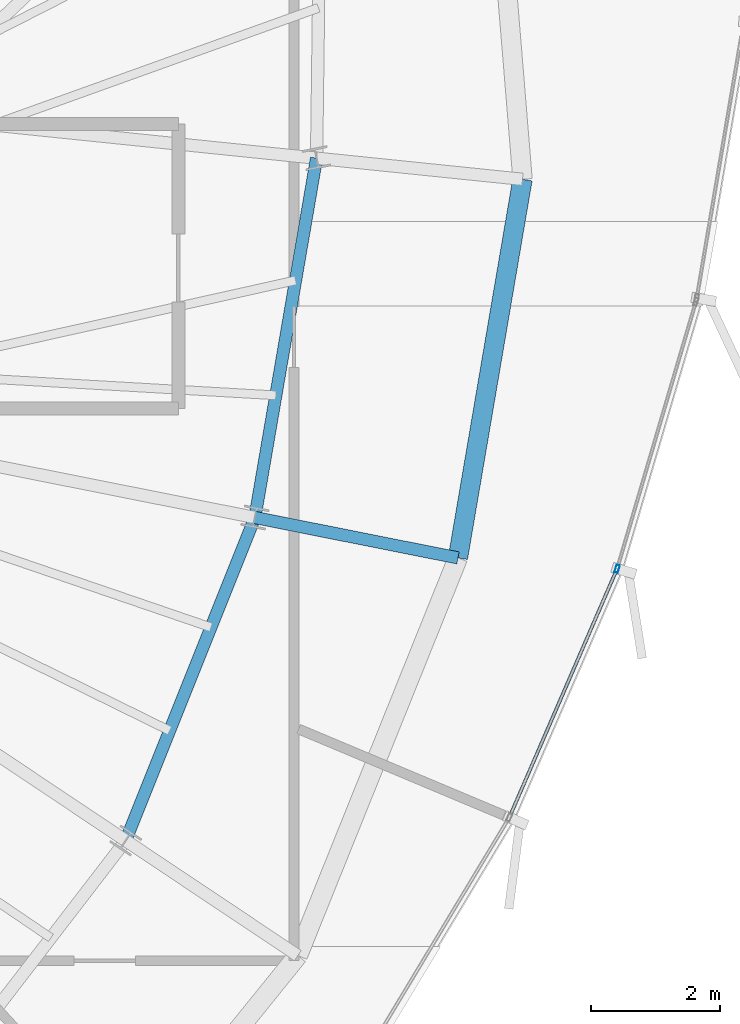
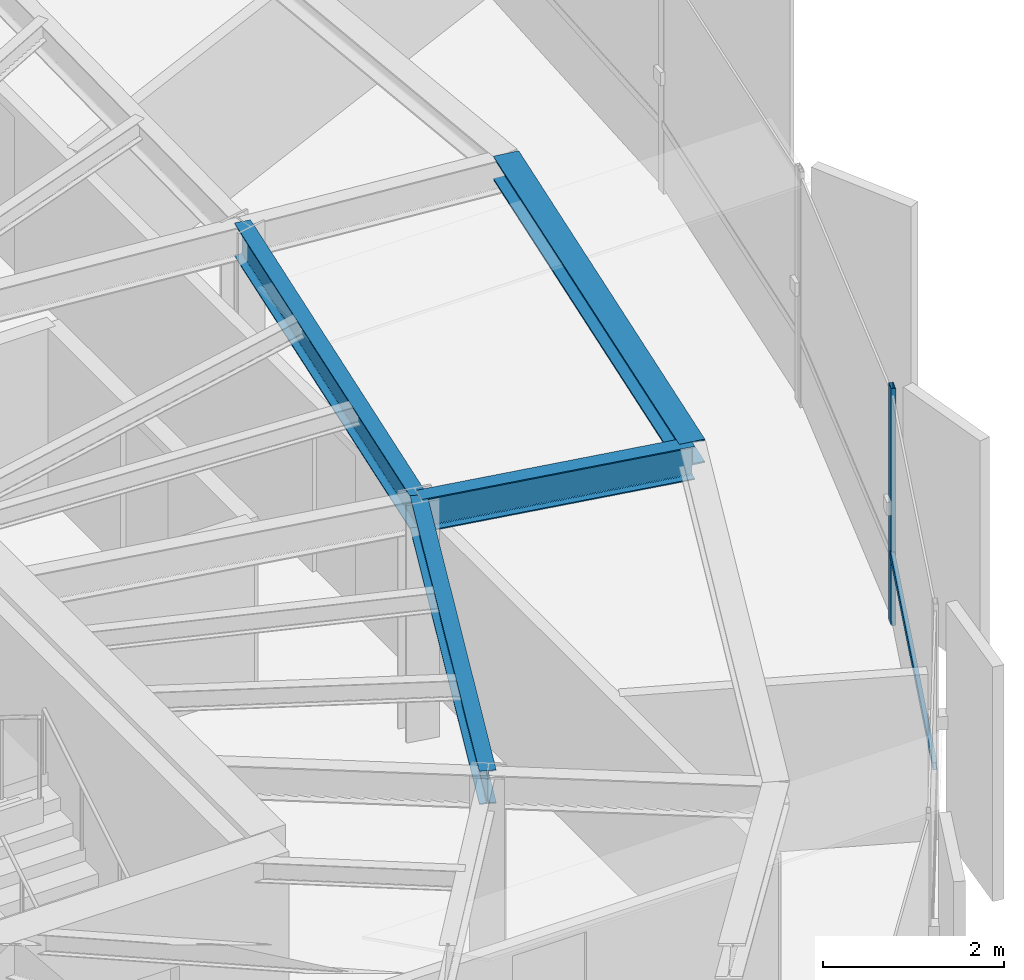
# One storey, part 14 of 33: 4 beams, 2 members, 1 element without a shape of its own.
"""IFC4 building model written with IfcOpenShell, lengths in metres."""

import ifcopenshell
import ifcopenshell.guid

model = None  # the IFC model being written
_history = None  # IfcOwnerHistory: only IFC2X3 demands one
_inside = {}  # id of a spatial element -> (the spatial element, [elements in it])
_under = {}  # id of a project, library or spatial element -> (it, [spatial elements below it])
_declared = {}  # id of a project -> (the project, [libraries it declares])
_typed = {}  # id of a type object -> (the type object, [elements of that type])
_made_of = {}  # id of a material, layer set ... -> (it, [elements and type objects made of it])


def new_model(schema):
    """Start an empty IFC model of exactly this schema.

    Asked for "IFC4X3", IfcOpenShell would pick the latest addendum, in which some entities
    have other attributes; the version numbers below select the first issue.
    IFC2X3 requires an IfcOwnerHistory on every rooted entity: one is made here for all.
    """
    global model, _history
    if schema == "IFC4X3":
        model = ifcopenshell.file(schema_version=(4, 3, 0, 0))
    else:
        model = ifcopenshell.file(schema=schema)
    _inside.clear()
    _under.clear()
    _declared.clear()
    _typed.clear()
    _made_of.clear()
    _history = None
    if model.schema == "IFC2X3":
        org = make("IfcOrganization", Name="unknown")
        user = make(
            "IfcPersonAndOrganization",
            ThePerson=make("IfcPerson", FamilyName="unknown"),
            TheOrganization=org,
        )
        app = make(
            "IfcApplication",
            ApplicationDeveloper=org,
            Version="unknown",
            ApplicationFullName="unknown",
            ApplicationIdentifier="unknown",
        )
        _history = make(
            "IfcOwnerHistory",
            OwningUser=user,
            OwningApplication=app,
            ChangeAction="ADDED",
            CreationDate=0,
        )
    return model


def make(cls, **values):
    """One entity of the class cls with the attributes given. An attribute that is None is left unset."""
    return model.create_entity(
        cls, **{name: value for name, value in values.items() if value is not None}
    )


def rooted(cls, **values):
    """An entity with a GlobalId (a new one), such as an element, a storey or a relation."""
    return make(cls, GlobalId=ifcopenshell.guid.new(), OwnerHistory=_history, **values)


def si_unit(unit_type, name, prefix=None):
    """IfcSIUnit, for example si_unit("LENGTHUNIT", "METRE", prefix="MILLI")."""
    return make("IfcSIUnit", UnitType=unit_type, Prefix=prefix, Name=name)


def assignment(units):
    """IfcUnitAssignment: the units of a project."""
    return None if units is None else make("IfcUnitAssignment", Units=units)


def point(xyz):
    """IfcCartesianPoint."""
    return None if xyz is None else make("IfcCartesianPoint", Coordinates=xyz)


def direction(xyz):
    """IfcDirection."""
    return None if xyz is None else make("IfcDirection", DirectionRatios=xyz)


def frame(location, z_axis=None, x_axis=None):
    """IfcAxis2Placement3D, a coordinate frame: its origin and axes. An axis left out is left unset."""
    return make(
        "IfcAxis2Placement3D",
        Location=point(location),
        Axis=direction(z_axis),
        RefDirection=direction(x_axis),
    )


def frame_2d(location, x_axis=None):
    """IfcAxis2Placement2D, a coordinate frame in the plane: its origin and x axis."""
    return make(
        "IfcAxis2Placement2D", Location=point(location), RefDirection=direction(x_axis)
    )


def origin():
    """The frame at (0, 0, 0) with its axes left unset."""
    return frame((0.0, 0.0, 0.0))


def origin_2d():
    """The frame at (0, 0) in the plane with its x axis left unset."""
    return frame_2d((0.0, 0.0))


def place(relative_to, where):
    """IfcLocalPlacement: puts the frame where relative to a parent placement (None: the world)."""
    return make(
        "IfcLocalPlacement", PlacementRelTo=relative_to, RelativePlacement=where
    )


def context(
    kind, dimensions, precision=None, world=None, true_north=None, identifier=None
):
    """IfcGeometricRepresentationContext, for example the 3D "Model" context."""
    return make(
        "IfcGeometricRepresentationContext",
        ContextIdentifier=identifier,
        ContextType=kind,
        CoordinateSpaceDimension=dimensions,
        Precision=precision,
        WorldCoordinateSystem=world,
        TrueNorth=true_north,
    )


def subcontext(parent, identifier, kind, view, scale=None):
    """IfcGeometricRepresentationSubContext, for example "Body" below "Model"."""
    return make(
        "IfcGeometricRepresentationSubContext",
        ContextIdentifier=identifier,
        ContextType=kind,
        ParentContext=parent,
        TargetScale=scale,
        TargetView=view,
    )


def project(units=None, contexts=None):
    """IfcProject with its units and contexts."""
    return rooted(
        "IfcProject",
        Name="project",
        RepresentationContexts=contexts,
        UnitsInContext=assignment(units),
    )


def spatial(cls, under=None, at=None, **own):
    """A site, building, storey or space (cls), placed at a placement, below another one or the project."""
    s = rooted(cls, ObjectPlacement=at, **own)
    if under is not None:
        _under.setdefault(under.id(), (under, []))[1].append(s)
    return s


def profile(cls, at=None, kind="AREA", **sizes):
    """A parametric profile (cls). Its sizes go by their IFC names, for example OverallWidth=200.0."""
    return make(cls, ProfileType=kind, Position=at, **sizes)


def hollow_rectangle(**sizes):
    """IfcRectangleHollowProfileDef."""
    return profile("IfcRectangleHollowProfileDef", **sizes)


def i_section(**sizes):
    """IfcIShapeProfileDef."""
    return profile("IfcIShapeProfileDef", **sizes)


def extrude(swept, where, along, depth):
    """IfcExtrudedAreaSolid: the profile swept, set in the frame where, extruded along a direction by depth."""
    return make(
        "IfcExtrudedAreaSolid",
        SweptArea=swept,
        Position=where,
        ExtrudedDirection=direction(along),
        Depth=depth,
    )


def shape(context_of_items, identifier, shape_type, items):
    """IfcShapeRepresentation: the items that make up one representation, for example the "Body"."""
    return make(
        "IfcShapeRepresentation",
        ContextOfItems=context_of_items,
        RepresentationIdentifier=identifier,
        RepresentationType=shape_type,
        Items=items,
    )


def source(mapping_origin, context_of_items, identifier, shape_type, items):
    """IfcRepresentationMap: a shape defined once, which mapped items show again and again."""
    return make(
        "IfcRepresentationMap",
        MappingOrigin=mapping_origin,
        MappedRepresentation=shape(context_of_items, identifier, shape_type, items),
    )


def transform(
    local_origin,
    x_axis=None,
    y_axis=None,
    z_axis=None,
    scale=None,
    scale2=None,
    scale3=None,
    uniform=True,
):
    """IfcCartesianTransformationOperator3D, or its non-uniform kind. x_axis, y_axis, z_axis: its Axis1, 2, 3."""
    if uniform:
        return make(
            "IfcCartesianTransformationOperator3D",
            Axis1=direction(x_axis),
            Axis2=direction(y_axis),
            LocalOrigin=point(local_origin),
            Scale=scale,
            Axis3=direction(z_axis),
        )
    return make(
        "IfcCartesianTransformationOperator3DnonUniform",
        Axis1=direction(x_axis),
        Axis2=direction(y_axis),
        LocalOrigin=point(local_origin),
        Scale=scale,
        Axis3=direction(z_axis),
        Scale2=scale2,
        Scale3=scale3,
    )


def mapped(mapping_source, mapping_target):
    """IfcMappedItem: shows the shape of a source again, moved by a transform."""
    return make(
        "IfcMappedItem", MappingSource=mapping_source, MappingTarget=mapping_target
    )


def material(Name=None, Category=None):
    """IfcMaterial."""
    return make("IfcMaterial", Name=Name, Category=Category)


def layer(
    of_material, thickness, ventilated=None, Name=None, Category=None, Priority=None
):
    """IfcMaterialLayer: one layer of a wall or slab, of a material (None: an air gap)."""
    return make(
        "IfcMaterialLayer",
        Material=of_material,
        LayerThickness=thickness,
        IsVentilated=ventilated,
        Name=Name,
        Category=Category,
        Priority=Priority,
    )


def layer_set(layers, Name=None):
    """IfcMaterialLayerSet."""
    return make("IfcMaterialLayerSet", MaterialLayers=layers, LayerSetName=Name)


def material_profile(
    of_material, cross_section, Name=None, Category=None, Priority=None
):
    """IfcMaterialProfile: a cross section and its material."""
    return make(
        "IfcMaterialProfile",
        Name=Name,
        Material=of_material,
        Profile=cross_section,
        Priority=Priority,
        Category=Category,
    )


def profile_set(profiles, Name=None, composite=None):
    """IfcMaterialProfileSet."""
    return make(
        "IfcMaterialProfileSet",
        Name=Name,
        MaterialProfiles=profiles,
        CompositeProfile=composite,
    )


def made_of(thing, what):
    """Note that an element or type object is made of a material, layer set ...; save() writes the relation."""
    if what is not None:
        _made_of.setdefault(what.id(), (what, []))[1].append(thing)
    return thing


def type_object(cls, material=None, **own):
    """A type object (cls), such as IfcWallType, which elements share."""
    return made_of(rooted(cls, **own), material)


def element(
    cls,
    number,
    at=None,
    inside=None,
    cuts=None,
    type_object=None,
    material=None,
    context=None,
    identifier="Body",
    shape_type=None,
    held_by="IfcProductDefinitionShape",
    body=None,
    shapes=None,
    **own,
):
    """One element of the class cls, such as IfcWall. Its Tag is "e" and its number.

    at: its placement. inside: the storey or other place that contains it. cuts: it is an
    opening in that element (IfcRelVoidsElement). A single representation is given by context,
    identifier, shape_type and body (its items); several are given by shapes. held_by: the class
    of the entity that holds the representations. save() writes the other relations.
    """
    e = rooted(cls, Tag="e%d" % number, ObjectPlacement=at, **own)
    if body is not None:
        shapes = [shape(context, identifier, shape_type, body)]
    if shapes is not None:
        e.Representation = make(held_by, Representations=shapes)
    if inside is not None:
        _inside.setdefault(inside.id(), (inside, []))[1].append(e)
    if cuts is not None:
        rooted(
            "IfcRelVoidsElement", RelatingBuildingElement=cuts, RelatedOpeningElement=e
        )
    if type_object is not None:
        _typed.setdefault(type_object.id(), (type_object, []))[1].append(e)
    return made_of(e, material)


def aggregate(whole, parts):
    """IfcRelAggregates: a whole, such as a stair, and the parts it consists of."""
    return rooted("IfcRelAggregates", RelatingObject=whole, RelatedObjects=parts)


def save(model, path):
    """Write the relations noted so far, then the file.

    IfcRelAggregates (storeys below a building ...), IfcRelContainedInSpatialStructure (elements
    in a storey), IfcRelDefinesByType, IfcRelAssociatesMaterial and IfcRelDeclares: one each for
    every whole, place, type object, material and project.
    """
    for whole, parts in _under.values():
        aggregate(whole, parts)
    for where, things in _inside.values():
        rooted(
            "IfcRelContainedInSpatialStructure",
            RelatedElements=things,
            RelatingStructure=where,
        )
    for kind, things in _typed.values():
        rooted("IfcRelDefinesByType", RelatedObjects=things, RelatingType=kind)
    for what, things in _made_of.values():
        rooted("IfcRelAssociatesMaterial", RelatedObjects=things, RelatingMaterial=what)
    for by, libraries in _declared.values():
        rooted("IfcRelDeclares", RelatingContext=by, RelatedDefinitions=libraries)
    model.write(path)


model = new_model("IFC4")

# Units and contexts
model_context = context("Model", 3, precision=1e-05, world=origin(), true_north=direction((0.0, 1.0)))
body_context = subcontext(model_context, "Body", "Model", "MODEL_VIEW")
ifc_project = project(units=[si_unit("LENGTHUNIT", "METRE"), si_unit("AREAUNIT", "SQUARE_METRE"), si_unit("VOLUMEUNIT", "CUBIC_METRE"), si_unit("PLANEANGLEUNIT", "RADIAN"), si_unit("MASSUNIT", "GRAM", prefix="KILO"), si_unit("THERMODYNAMICTEMPERATUREUNIT", "KELVIN")], contexts=[model_context])

# Site, building, storey
site_placement = place(None, origin())
site = spatial("IfcSite", under=ifc_project, at=site_placement, CompositionType="ELEMENT")
building_placement = place(site_placement, origin())
building = spatial("IfcBuilding", under=site, at=building_placement, Name="Kethvar Cultural Tower", CompositionType="ELEMENT")
storey_placement = place(building_placement, frame((0.0, 0.0, 256.0)))
storey = spatial("IfcBuildingStorey", under=building, at=storey_placement, Name="L67", CompositionType="ELEMENT", Elevation=256.0)

# Beams
ifc_material_1 = material(Name="Steel S355J2", Category="steel")
ifc_material_profile_1 = material_profile(ifc_material_1, i_section(OverallWidth=0.18994140625, OverallDepth=0.449951171875, WebThickness=0.009521484375, FlangeThickness=0.0146484375, FilletRadius=0.02099609375, at=origin_2d()), Name="Steel S355J2 — IPE450")
ifc_profile_set_1 = profile_set([ifc_material_profile_1], Name="Steel S355J2 — IPE450")
beam_type_1 = type_object("IfcBeamType", Name="BM-IPE450", PredefinedType="BEAM", material=ifc_profile_set_1)
shared_shape_1 = source(origin(), body_context, "Body", "SweptSolid", [
    extrude(i_section(OverallWidth=0.18994140625, OverallDepth=0.449951171875, WebThickness=0.009521484375, FlangeThickness=0.0146484375, FilletRadius=0.02099609375, at=origin_2d()), origin(), (0.0, 0.0, 1.0), 3.199951171875),
])
beam_1_placement = place(storey_placement, frame((60.28369140625, 25.117919921875, 2.98291015625), z_axis=(0.980785550224, -0.195088965533, 0.0), x_axis=(0.195088965533, 0.980785550224, 0.0)))
element("IfcBeam", 1, at=beam_1_placement, inside=storey, type_object=beam_type_1, Name="L67 Perimeter Cantilever Beam RC-16", PredefinedType="BEAM", context=body_context, shape_type="MappedRepresentation", body=[
    mapped(shared_shape_1, transform((0.0, 0.0, 0.0), scale=1.0)),
])
shared_shape_2 = source(origin(), body_context, "Body", "SweptSolid", [
    extrude(i_section(OverallWidth=0.18994140625, OverallDepth=0.449951171875, WebThickness=0.009521484375, FlangeThickness=0.0146484375, FilletRadius=0.02099609375, at=origin_2d()), origin(), (0.0, 0.0, 1.0), 5.377685546875),
])
beam_2_placement = place(storey_placement, frame((58.287109375, 20.12451171875, 2.98291015625), z_axis=(0.371265436914, 0.928526776864, 0.0), x_axis=(-0.928526776864, 0.371265436914, 0.0)))
element("IfcBeam", 2, at=beam_2_placement, inside=storey, type_object=beam_type_1, Name="L67 Column Ring Tie Beam CR-15", PredefinedType="BEAM", context=body_context, shape_type="MappedRepresentation", body=[
    mapped(shared_shape_2, transform((0.0, 0.0, 0.0), scale=1.0)),
])
shared_shape_3 = source(origin(), body_context, "Body", "SweptSolid", [
    extrude(i_section(OverallWidth=0.18994140625, OverallDepth=0.449951171875, WebThickness=0.009521484375, FlangeThickness=0.0146484375, FilletRadius=0.02099609375, at=origin_2d()), origin(), (0.0, 0.0, 1.0), 5.635009765625),
])
beam_3_placement = place(storey_placement, frame((60.28369140625, 25.117919921875, 2.98291015625), z_axis=(0.169188687614, 0.985583678834, 0.0), x_axis=(-0.985583678834, 0.169188687614, 0.0)))
element("IfcBeam", 3, at=beam_3_placement, inside=storey, type_object=beam_type_1, Name="L67 Column Ring Tie Beam CR-16", PredefinedType="BEAM", context=body_context, shape_type="MappedRepresentation", body=[
    mapped(shared_shape_3, transform((0.0, 0.0, 0.0), scale=1.0)),
])
ifc_material_profile_2 = material_profile(ifc_material_1, i_section(OverallWidth=0.300048828125, OverallDepth=0.320068359375, WebThickness=0.011474609375, FlangeThickness=0.0205078125, FilletRadius=0.027099609375, at=origin_2d()), Name="Steel S355J2 — HEB320")
ifc_profile_set_2 = profile_set([ifc_material_profile_2], Name="Steel S355J2 — HEB320")
beam_type_2 = type_object("IfcBeamType", Name="BM-SP320", PredefinedType="SPANDREL", material=ifc_profile_set_2)
shared_shape_4 = source(origin(), body_context, "Body", "SweptSolid", [
    extrude(i_section(OverallWidth=0.300048828125, OverallDepth=0.320068359375, WebThickness=0.011474609375, FlangeThickness=0.0205078125, FilletRadius=0.027099609375, at=origin_2d()), origin(), (0.0, 0.0, 1.0), 5.93603515625),
])
beam_4_placement = place(storey_placement, frame((63.422119140625, 24.49365234375, 3.048095703125), z_axis=(0.16817267321, 0.985757552335, 0.0), x_axis=(-0.985757552335, 0.16817267321, 0.0)))
element("IfcBeam", 4, at=beam_4_placement, inside=storey, type_object=beam_type_2, Name="L67 Perimeter Spandrel Beam SP-16", PredefinedType="SPANDREL", context=body_context, shape_type="MappedRepresentation", body=[
    mapped(shared_shape_4, transform((0.0, 0.0, 0.0), scale=1.0)),
])

# Curtain wall, members
ifc_material_2 = material(Name="Aluminium 6063-T6", Category="aluminium")
ifc_layer = layer(ifc_material_2, 0.179931640625, Name="Aluminium 6063-T6", Category="aluminium")
ifc_layer_set = layer_set([ifc_layer], Name="Aluminium 6063-T6 (180 mm)")
curtain_wall_type = type_object("IfcCurtainWallType", Name="CW-SYS-05-Z56", PredefinedType="NOTDEFINED", material=ifc_layer_set)
curtain_wall_placement = place(storey_placement, origin())
curtain_wall = element("IfcCurtainWall", 5, at=curtain_wall_placement, inside=storey, type_object=curtain_wall_type, Name="L67 Curtain Wall Run 05", PredefinedType="NOTDEFINED")
ifc_material_profile_3 = material_profile(ifc_material_2, hollow_rectangle(XDim=0.054931640625, YDim=0.1201171875, WallThickness=0.00390625, at=origin_2d()), Name="Aluminium 6063-T6 — RHS120x55x4")
ifc_profile_set_3 = profile_set([ifc_material_profile_3], Name="Aluminium 6063-T6 — RHS120x55x4")
member_type_1 = type_object("IfcMemberType", Name="CW-SYS-05-Z56-MUL", PredefinedType="MULLION", material=ifc_profile_set_3)
shared_shape_5 = source(origin(), body_context, "Body", "SweptSolid", [
    extrude(hollow_rectangle(XDim=0.054931640625, YDim=0.1201171875, WallThickness=0.00390625, at=origin_2d()), origin(), (0.0, 0.0, 1.0), 3.2099609375),
])
member_1_placement = place(storey_placement, frame((65.88330078125, 24.3251953125, 0.0), z_axis=(0.0, 0.0, 1.0), x_axis=(-0.959166009405, 0.28284371374, 0.0)))
member_1 = element("IfcMember", 6, at=member_1_placement, type_object=member_type_1, Name="CW-L67-R05 Mullion 6", PredefinedType="MULLION", context=body_context, shape_type="MappedRepresentation", body=[
    mapped(shared_shape_5, transform((0.0, 0.0, 0.0), scale=1.0)),
])
ifc_material_profile_4 = material_profile(ifc_material_2, hollow_rectangle(XDim=0.050048828125, YDim=0.10009765625, WallThickness=0.00390625, at=origin_2d()), Name="Aluminium 6063-T6 — RHS100x50x4")
ifc_profile_set_4 = profile_set([ifc_material_profile_4], Name="Aluminium 6063-T6 — RHS100x50x4")
member_type_2 = type_object("IfcMemberType", Name="CW-SYS-05-Z56-TRN", PredefinedType="USERDEFINED", material=ifc_profile_set_4)
shared_shape_6 = source(origin(), body_context, "Body", "SweptSolid", [
    extrude(hollow_rectangle(XDim=0.050048828125, YDim=0.10009765625, WallThickness=0.00390625, at=origin_2d()), origin(), (0.0, 0.0, 1.0), 4.123046875),
])
member_2_placement = place(storey_placement, frame((64.232177734375, 20.51708984375, 0.949951171875), z_axis=(0.397610761055, 0.917554185154, 0.0), x_axis=(-0.917554185154, 0.397610761055, 0.0)))
member_2 = element("IfcMember", 7, at=member_2_placement, type_object=member_type_2, Name="CW-L67-R05 Transom 5", ObjectType="TRANSOM", PredefinedType="USERDEFINED", context=body_context, shape_type="MappedRepresentation", body=[
    mapped(shared_shape_6, transform((0.0, 0.0, 0.0), scale=1.0)),
])
aggregate(curtain_wall, [member_1, member_2])

save(model, "model.ifc")
